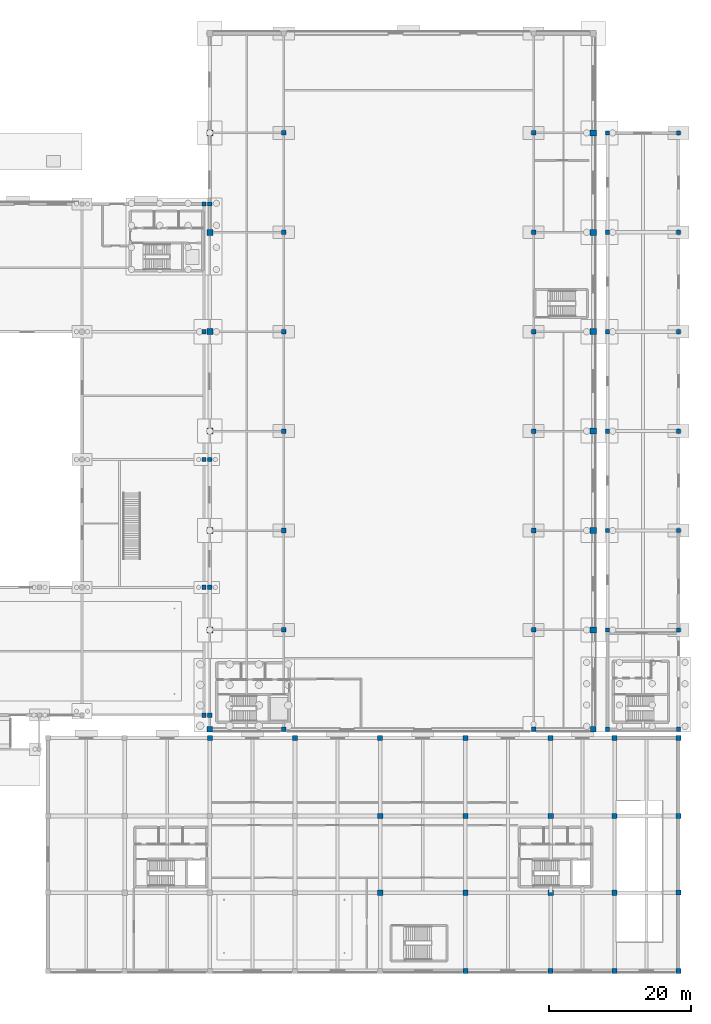
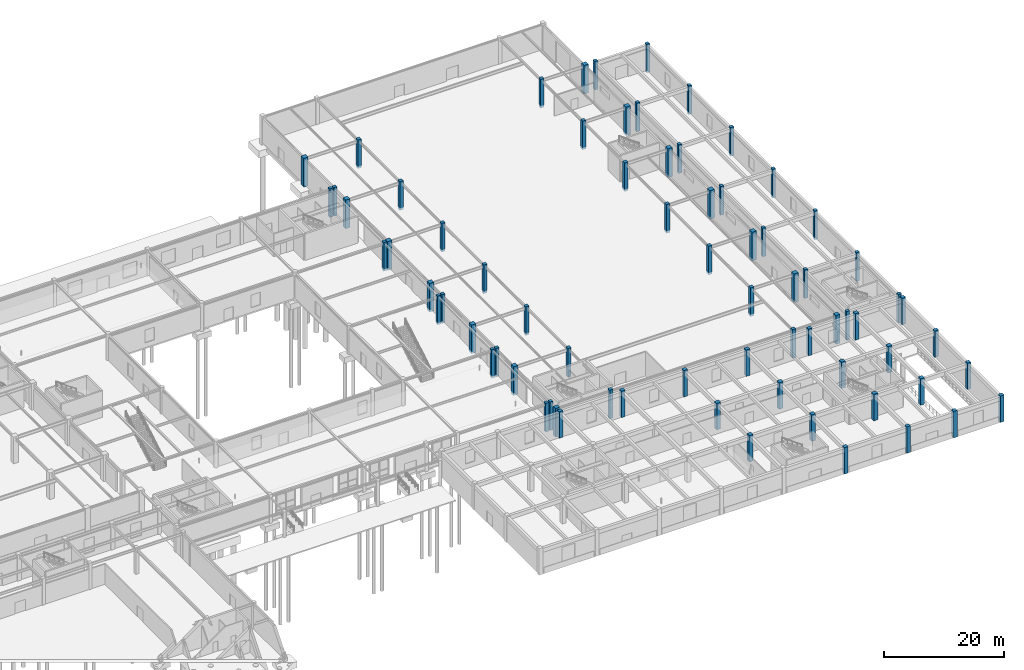
# One storey, part 9 of 53: 72 columns.
"""IFC4 building model written with IfcOpenShell, lengths in metres."""

from ifc_helpers import new_model, si_unit, derived_unit, direction, frame, origin, origin_2d, place, context, subcontext, project, spatial, rectangle, extrude, material, material_profile, profile_set, type_object, element, save


model = new_model("IFC4")

# Units and contexts
model_context = context("Model", 3, precision=1e-05, world=origin(), true_north=direction((0.0, 1.0)))
body_context = subcontext(model_context, "Body", "Model", "MODEL_VIEW")
ifc_project = project(units=[si_unit("LENGTHUNIT", "METRE"), si_unit("AREAUNIT", "SQUARE_METRE"), si_unit("VOLUMEUNIT", "CUBIC_METRE"), si_unit("PLANEANGLEUNIT", "RADIAN"), si_unit("MASSUNIT", "GRAM", prefix="KILO"), derived_unit("THERMALTRANSMITTANCEUNIT", [(si_unit("POWERUNIT", "WATT"), 1), (si_unit("LENGTHUNIT", "METRE"), -2), (si_unit("THERMODYNAMICTEMPERATUREUNIT", "KELVIN"), -1)])], contexts=[model_context])

# Site, building, storey
site_placement = place(None, origin())
site = spatial("IfcSite", under=ifc_project, at=site_placement, CompositionType="ELEMENT")
building_placement = place(site_placement, origin())
building = spatial("IfcBuilding", under=site, at=building_placement, Name="Almenara Railside Exhibition Hall", CompositionType="ELEMENT")
storey_placement = place(building_placement, origin())
storey = spatial("IfcBuildingStorey", under=building, at=storey_placement, Name="L00", CompositionType="ELEMENT", Elevation=0.0)

# Columns
ifc_material_1 = material(Name="Concrete C35/45", Category="concrete")
ifc_material_profile_1 = material_profile(ifc_material_1, rectangle(XDim=0.60009765625, YDim=0.60009765625, at=origin_2d()), Name="RC 600x600")
ifc_profile_set_1 = profile_set([ifc_material_profile_1], Name="Concrete C35/45")
column_type_1 = type_object("IfcColumnType", Name="RC Column 600x600 C35/45", PredefinedType="COLUMN", material=ifc_profile_set_1)
for number, where, z_axis, x_axis, name in (
    (1, (138.0, 36.0, -0.43994140625), (0.0, 0.0, 1.0), (1.0, 0.0, 0.0), "Column 0237"),
    (2, (138.0, 54.0, -0.43994140625), (0.0, 0.0, 1.0), (1.0, 0.0, 0.0), "Column 0239"),
    (3, (138.0, 72.0, -0.43994140625), (0.0, 0.0, 1.0), (1.0, 0.0, 0.0), "Column 0241"),
    (4, (138.0, 108.0, -0.43994140625), (0.0, 0.0, 1.0), (1.0, 0.0, 0.0), "Column 0243"),
    (5, (194.0, 34.0, -0.43994140625), (0.0, 0.0, 1.0), (1.0, 0.0, 0.0), "Column 0453"),
    (6, (204.0, 34.0, -0.43994140625), (0.0, 0.0, 1.0), (1.0, 0.0, 0.0), "Column 0456"),
    (7, (194.0, 48.0, -0.43994140625), (0.0, 0.0, 1.0), (1.0, 0.0, 0.0), "Column 0459"),
    (8, (204.0, 48.0, -0.43994140625), (0.0, 0.0, 1.0), (1.0, 0.0, 0.0), "Column 0462"),
    (9, (194.0, 62.0, -0.43994140625), (0.0, 0.0, 1.0), (1.0, 0.0, 0.0), "Column 0465"),
    (10, (204.0, 62.0, -0.43994140625), (0.0, 0.0, 1.0), (1.0, 0.0, 0.0), "Column 0468"),
    (11, (194.0, 76.0, -0.43994140625), (0.0, 0.0, 1.0), (1.0, 0.0, 0.0), "Column 0471"),
    (12, (204.0, 76.0, -0.43994140625), (0.0, 0.0, 1.0), (1.0, 0.0, 0.0), "Column 0474"),
    (13, (194.0, 90.0, -0.43994140625), (0.0, 0.0, 1.0), (1.0, 0.0, 0.0), "Column 0477"),
    (14, (204.0, 90.0, -0.43994140625), (0.0, 0.0, 1.0), (1.0, 0.0, 0.0), "Column 0480"),
    (15, (194.0, 104.0, -0.43994140625), (0.0, 0.0, 1.0), (1.0, 0.0, 0.0), "Column 0483"),
    (16, (204.0, 104.0, -0.43994140625), (0.0, 0.0, 1.0), (1.0, 0.0, 0.0), "Column 0486"),
    (17, (194.0, 118.0, -0.43994140625), (0.0, 0.0, 1.0), (1.0, 0.0, 0.0), "Column 0489"),
    (18, (204.0, 118.0, -0.43994140625), (0.0, 0.0, 1.0), (1.0, 0.0, 0.0), "Column 0492"),
    (19, (137.199951171875, 36.0, -0.43994140625), (0.0, 0.0, 1.0), (1.0, 0.0, 0.0), "Column 0501"),
    (20, (137.199951171875, 54.0, -0.43994140625), (0.0, 0.0, 1.0), (1.0, 0.0, 0.0), "Column 0503"),
    (21, (137.199951171875, 72.0, -0.43994140625), (0.0, 0.0, 1.0), (1.0, 0.0, 0.0), "Column 0505"),
    (22, (137.199951171875, 90.0, -0.43994140625), (0.0, 0.0, 1.0), (1.0, 0.0, 0.0), "Column 0507"),
    (23, (137.199951171875, 108.0, -0.43994140625), (0.0, 0.0, 1.0), (1.0, 0.0, 0.0), "Column 0509"),
):
    element("IfcColumn", number, at=place(storey_placement, frame(where, z_axis=z_axis, x_axis=x_axis)), inside=storey, type_object=column_type_1, Name=name, PredefinedType="COLUMN", context=body_context, shape_type="SweptSolid", body=[
        extrude(rectangle(XDim=0.60009765625, YDim=0.60009765625, at=origin_2d()), origin(), (0.0, 0.0, 1.0), 5.83984375),
    ])
ifc_material_profile_2 = material_profile(ifc_material_1, rectangle(XDim=0.64990234375, YDim=0.64990234375, at=origin_2d()), Name="RC 650x650")
ifc_profile_set_2 = profile_set([ifc_material_profile_2], Name="Concrete C35/45")
column_type_2 = type_object("IfcColumnType", Name="RC Column 650x650 C35/45", PredefinedType="COLUMN", material=ifc_profile_set_2)
for number, where, z_axis, x_axis, name in (
    (24, (148.39990234375, 34.0, -0.43994140625), (0.0, 0.0, 1.0), (1.0, 0.0, 0.0), "Column 0089"),
    (25, (183.60009765625, 34.0, -0.43994140625), (0.0, 0.0, 1.0), (1.0, 0.0, 0.0), "Column 0091"),
    (26, (148.39990234375, 48.0, -0.43994140625), (0.0, 0.0, 1.0), (1.0, 0.0, 0.0), "Column 0097"),
    (27, (183.60009765625, 48.0, -0.43994140625), (0.0, 0.0, 1.0), (1.0, 0.0, 0.0), "Column 0098"),
    (28, (148.39990234375, 62.0, -0.43994140625), (0.0, 0.0, 1.0), (1.0, 0.0, 0.0), "Column 0103"),
    (29, (183.60009765625, 62.0, -0.43994140625), (0.0, 0.0, 1.0), (1.0, 0.0, 0.0), "Column 0104"),
    (30, (148.39990234375, 76.0, -0.43994140625), (0.0, 0.0, 1.0), (1.0, 0.0, 0.0), "Column 0109"),
    (31, (183.60009765625, 76.0, -0.43994140625), (0.0, 0.0, 1.0), (1.0, 0.0, 0.0), "Column 0110"),
    (32, (148.39990234375, 90.0, -0.43994140625), (0.0, 0.0, 1.0), (1.0, 0.0, 0.0), "Column 0115"),
    (33, (183.60009765625, 90.0, -0.43994140625), (0.0, 0.0, 1.0), (1.0, 0.0, 0.0), "Column 0116"),
    (34, (148.39990234375, 104.0, -0.43994140625), (0.0, 0.0, 1.0), (1.0, 0.0, 0.0), "Column 0121"),
    (35, (183.60009765625, 104.0, -0.43994140625), (0.0, 0.0, 1.0), (1.0, 0.0, 0.0), "Column 0122"),
    (36, (148.39990234375, 118.0, -0.43994140625), (0.0, 0.0, 1.0), (1.0, 0.0, 0.0), "Column 0127"),
    (37, (183.60009765625, 118.0, -0.43994140625), (0.0, 0.0, 1.0), (1.0, 0.0, 0.0), "Column 0128"),
):
    element("IfcColumn", number, at=place(storey_placement, frame(where, z_axis=z_axis, x_axis=x_axis)), inside=storey, type_object=column_type_2, Name=name, PredefinedType="COLUMN", context=body_context, shape_type="SweptSolid", body=[
        extrude(rectangle(XDim=0.64990234375, YDim=0.64990234375, at=origin_2d()), origin(), (0.0, 0.0, 1.0), 5.83984375),
    ])
ifc_material_2 = material(Name="Concrete C40/50", Category="concrete")
ifc_material_profile_3 = material_profile(ifc_material_2, rectangle(XDim=0.699951171875, YDim=0.699951171875, at=origin_2d()), Name="RC 700x700")
ifc_profile_set_3 = profile_set([ifc_material_profile_3], Name="Concrete C40/50")
column_type_3 = type_object("IfcColumnType", Name="RC Column 700x700 C40/50", PredefinedType="COLUMN", material=ifc_profile_set_3)
for number, where, z_axis, x_axis, name in (
    (38, (138.0, 32.800048828125, 0.0), (0.0, 0.0, 1.0), (1.0, 0.0, 0.0), "Column 0336"),
    (39, (150.0, 32.800048828125, 0.0), (0.0, 0.0, 1.0), (1.0, 0.0, 0.0), "Column 0355"),
    (40, (162.0, 32.800048828125, 0.0), (0.0, 0.0, 1.0), (1.0, 0.0, 0.0), "Column 0374"),
    (41, (174.0, 0.0, 0.0), (0.0, 0.0, 1.0), (1.0, 0.0, 0.0), "Column 0378"),
    (42, (174.0, 32.800048828125, 0.0), (0.0, 0.0, 1.0), (1.0, 0.0, 0.0), "Column 0393"),
    (43, (186.0, 0.0, 0.0), (0.0, 0.0, 1.0), (1.0, 0.0, 0.0), "Column 0397"),
    (44, (186.0, 32.800048828125, 0.0), (0.0, 0.0, 1.0), (1.0, 0.0, 0.0), "Column 0412"),
    (45, (195.0, 0.0, 0.0), (0.0, 0.0, 1.0), (1.0, 0.0, 0.0), "Column 0416"),
    (46, (195.0, 32.800048828125, 0.0), (0.0, 0.0, 1.0), (1.0, 0.0, 0.0), "Column 0431"),
    (47, (204.0, 0.0, 0.0), (0.0, 0.0, 1.0), (1.0, 0.0, 0.0), "Column 0435"),
    (48, (204.0, 11.0, 0.0), (0.0, 0.0, 1.0), (1.0, 0.0, 0.0), "Column 0440"),
    (49, (204.0, 21.800048828125, 0.0), (0.0, 0.0, 1.0), (1.0, 0.0, 0.0), "Column 0445"),
    (50, (204.0, 32.800048828125, 0.0), (0.0, 0.0, 1.0), (1.0, 0.0, 0.0), "Column 0450"),
):
    element("IfcColumn", number, at=place(storey_placement, frame(where, z_axis=z_axis, x_axis=x_axis)), inside=storey, type_object=column_type_3, Name=name, PredefinedType="COLUMN", context=body_context, shape_type="SweptSolid", body=[
        extrude(rectangle(XDim=0.699951171875, YDim=0.699951171875, at=origin_2d()), origin(), (0.0, 0.0, 1.0), 5.39990234375),
    ])
ifc_material_profile_4 = material_profile(ifc_material_2, rectangle(XDim=0.75, YDim=0.75, at=origin_2d()), Name="RC 750x750")
ifc_profile_set_4 = profile_set([ifc_material_profile_4], Name="Concrete C40/50")
column_type_4 = type_object("IfcColumnType", Name="RC Column 750x750 C40/50", PredefinedType="COLUMN", material=ifc_profile_set_4)
for number, where, z_axis, x_axis, name in (
    (51, (162.0, 11.0, 0.0), (0.0, 0.0, 1.0), (1.0, 0.0, 0.0), "Column 0364"),
    (52, (162.0, 21.800048828125, 0.0), (0.0, 0.0, 1.0), (1.0, 0.0, 0.0), "Column 0369"),
    (53, (174.0, 11.0, 0.0), (0.0, 0.0, 1.0), (1.0, 0.0, 0.0), "Column 0383"),
    (54, (174.0, 21.800048828125, 0.0), (0.0, 0.0, 1.0), (1.0, 0.0, 0.0), "Column 0388"),
    (55, (186.0, 11.0, 0.0), (0.0, 0.0, 1.0), (1.0, 0.0, 0.0), "Column 0402"),
    (56, (186.0, 21.800048828125, 0.0), (0.0, 0.0, 1.0), (1.0, 0.0, 0.0), "Column 0407"),
    (57, (195.0, 11.0, 0.0), (0.0, 0.0, 1.0), (1.0, 0.0, 0.0), "Column 0421"),
    (58, (195.0, 21.800048828125, 0.0), (0.0, 0.0, 1.0), (1.0, 0.0, 0.0), "Column 0426"),
):
    element("IfcColumn", number, at=place(storey_placement, frame(where, z_axis=z_axis, x_axis=x_axis)), inside=storey, type_object=column_type_4, Name=name, PredefinedType="COLUMN", context=body_context, shape_type="SweptSolid", body=[
        extrude(rectangle(XDim=0.75, YDim=0.75, at=origin_2d()), origin(), (0.0, 0.0, 1.0), 5.39990234375),
    ])
ifc_material_profile_5 = material_profile(ifc_material_2, rectangle(XDim=0.800048828125, YDim=0.800048828125, at=origin_2d()), Name="RC 800x800")
ifc_profile_set_5 = profile_set([ifc_material_profile_5], Name="Concrete C40/50")
column_type_5 = type_object("IfcColumnType", Name="RC Column 800x800 C40/50", PredefinedType="COLUMN", material=ifc_profile_set_5)
for number, where, z_axis, x_axis, name in (
    (59, (138.0, 34.0, -0.43994140625), (0.0, 0.0, 1.0), (1.0, 0.0, 0.0), "Column 0085"),
    (60, (192.0, 34.0, -0.43994140625), (0.0, 0.0, 1.0), (1.0, 0.0, 0.0), "Column 0087"),
):
    element("IfcColumn", number, at=place(storey_placement, frame(where, z_axis=z_axis, x_axis=x_axis)), inside=storey, type_object=column_type_5, Name=name, PredefinedType="COLUMN", context=body_context, shape_type="SweptSolid", body=[
        extrude(rectangle(XDim=0.800048828125, YDim=0.800048828125, at=origin_2d()), origin(), (0.0, 0.0, 1.0), 5.83984375),
    ])
ifc_material_profile_6 = material_profile(ifc_material_2, rectangle(XDim=0.85009765625, YDim=0.85009765625, at=origin_2d()), Name="RC 850x850")
ifc_profile_set_6 = profile_set([ifc_material_profile_6], Name="Concrete C40/50")
column_type_6 = type_object("IfcColumnType", Name="RC Column 850x850 C40/50", PredefinedType="COLUMN", material=ifc_profile_set_6)
for number, where, z_axis, x_axis, name in (
    (61, (138.0, 48.0, -0.43994140625), (0.0, 0.0, 1.0), (1.0, 0.0, 0.0), "Column 0093"),
    (62, (192.0, 48.0, -0.43994140625), (0.0, 0.0, 1.0), (1.0, 0.0, 0.0), "Column 0095"),
    (63, (138.0, 62.0, -0.43994140625), (0.0, 0.0, 1.0), (1.0, 0.0, 0.0), "Column 0099"),
    (64, (192.0, 62.0, -0.43994140625), (0.0, 0.0, 1.0), (1.0, 0.0, 0.0), "Column 0101"),
    (65, (138.0, 76.0, -0.43994140625), (0.0, 0.0, 1.0), (1.0, 0.0, 0.0), "Column 0105"),
    (66, (192.0, 76.0, -0.43994140625), (0.0, 0.0, 1.0), (1.0, 0.0, 0.0), "Column 0107"),
    (67, (138.0, 90.0, -0.43994140625), (0.0, 0.0, 1.0), (1.0, 0.0, 0.0), "Column 0111"),
    (68, (192.0, 90.0, -0.43994140625), (0.0, 0.0, 1.0), (1.0, 0.0, 0.0), "Column 0113"),
    (69, (138.0, 104.0, -0.43994140625), (0.0, 0.0, 1.0), (1.0, 0.0, 0.0), "Column 0117"),
    (70, (192.0, 104.0, -0.43994140625), (0.0, 0.0, 1.0), (1.0, 0.0, 0.0), "Column 0119"),
    (71, (138.0, 118.0, -0.43994140625), (0.0, 0.0, 1.0), (1.0, 0.0, 0.0), "Column 0123"),
    (72, (192.0, 118.0, -0.43994140625), (0.0, 0.0, 1.0), (1.0, 0.0, 0.0), "Column 0125"),
):
    element("IfcColumn", number, at=place(storey_placement, frame(where, z_axis=z_axis, x_axis=x_axis)), inside=storey, type_object=column_type_6, Name=name, PredefinedType="COLUMN", context=body_context, shape_type="SweptSolid", body=[
        extrude(rectangle(XDim=0.85009765625, YDim=0.85009765625, at=origin_2d()), origin(), (0.0, 0.0, 1.0), 5.83984375),
    ])

save(model, "model.ifc")
